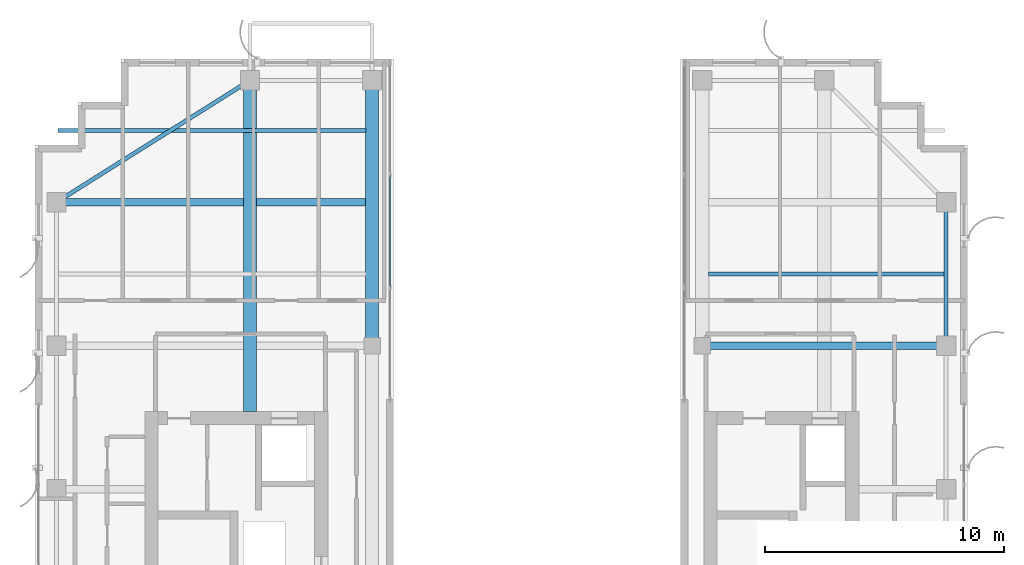
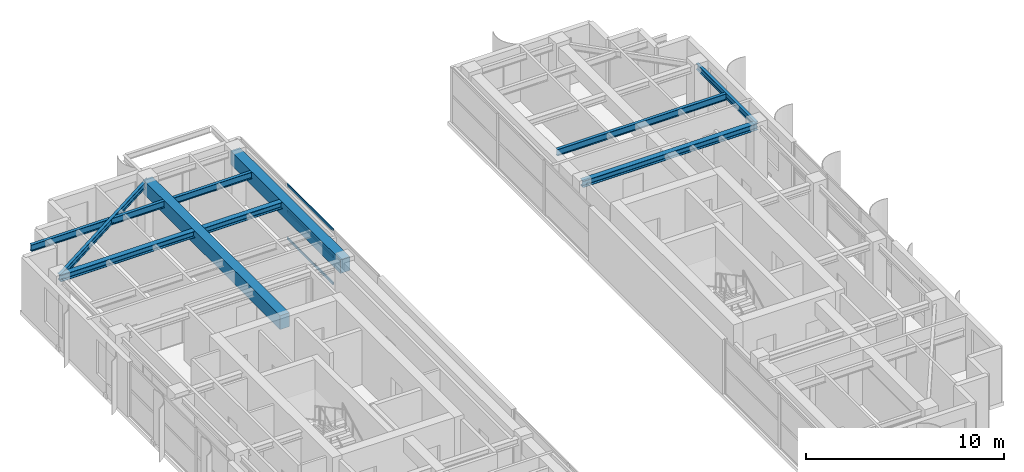
# One storey, part 13 of 22: 8 beams, 3 members, 1 element without a shape of its own.
"""IFC4 building model written with IfcOpenShell, lengths in metres."""

from ifc_helpers import new_model, si_unit, direction, frame, origin, origin_2d, place, context, subcontext, project, spatial, rectangle, hollow_rectangle, i_section, extrude, source, transform, mapped, material, layer, layer_set, material_profile, profile_set, type_object, element, aggregate, save


model = new_model("IFC4")

# Units and contexts
model_context = context("Model", 3, precision=1e-05, world=origin(), true_north=direction((0.0, 1.0)))
body_context = subcontext(model_context, "Body", "Model", "MODEL_VIEW")
ifc_project = project(units=[si_unit("LENGTHUNIT", "METRE"), si_unit("AREAUNIT", "SQUARE_METRE"), si_unit("VOLUMEUNIT", "CUBIC_METRE"), si_unit("PLANEANGLEUNIT", "RADIAN"), si_unit("MASSUNIT", "GRAM", prefix="KILO")], contexts=[model_context])

# Site, building, storey
site_placement = place(None, origin())
site = spatial("IfcSite", under=ifc_project, at=site_placement, CompositionType="ELEMENT")
building_placement = place(site_placement, origin())
building = spatial("IfcBuilding", under=site, at=building_placement, Name="Khoralis Quay Care Tower", CompositionType="ELEMENT")
storey_placement = place(building_placement, frame((0.0, 0.0, 256.5)))
storey = spatial("IfcBuildingStorey", under=building, at=storey_placement, Name="L67", CompositionType="ELEMENT", Elevation=256.5)

# Beams
ifc_material_1 = material(Name="Steel S355", Category="steel")
ifc_material_profile_1 = material_profile(ifc_material_1, i_section(OverallWidth=0.169921875, OverallDepth=0.360107421875, WebThickness=0.008056640625, FlangeThickness=0.0126953125, FilletRadius=0.01806640625, at=origin_2d()), Name="Steel S355")
ifc_profile_set_1 = profile_set([ifc_material_profile_1], Name="Steel S355")
beam_type_1 = type_object("IfcBeamType", Name="BM-IPE360", PredefinedType="SPANDREL", material=ifc_profile_set_1)
shared_shape_1 = source(origin(), body_context, "Body", "SweptSolid", [
    extrude(i_section(OverallWidth=0.169921875, OverallDepth=0.360107421875, WebThickness=0.008056640625, FlangeThickness=0.0126953125, FilletRadius=0.01806640625, at=origin_2d()), origin(), (0.0, 0.0, 1.0), 6.0),
])
beam_1_placement = place(storey_placement, frame((41.10009765625, 30.0, 3.179931640625), z_axis=(0.0, 1.0, 0.0), x_axis=(-1.0, 0.0, 0.0)))
element("IfcBeam", 1, at=beam_1_placement, inside=storey, type_object=beam_type_1, Name="BM-TSP-L67-12", PredefinedType="SPANDREL", context=body_context, shape_type="MappedRepresentation", body=[
    mapped(shared_shape_1, transform((0.0, 0.0, 0.0), scale=1.0)),
])
shared_shape_2 = source(origin(), body_context, "Body", "SweptSolid", [
    extrude(i_section(OverallWidth=0.169921875, OverallDepth=0.360107421875, WebThickness=0.008056640625, FlangeThickness=0.0126953125, FilletRadius=0.01806640625, at=origin_2d()), origin(), (0.0, 0.0, 1.0), 9.572021484375),
])
beam_2_placement = place(storey_placement, frame((12.0, 41.10009765625, 3.179931640625), z_axis=(-0.846231136359, -0.532815975602, 0.0), x_axis=(0.532815975602, -0.846231136359, 0.0)))
element("IfcBeam", 2, at=beam_2_placement, inside=storey, type_object=beam_type_1, Name="BM-TCR-L67-15", PredefinedType="SPANDREL", context=body_context, shape_type="MappedRepresentation", body=[
    mapped(shared_shape_2, transform((0.0, 0.0, 0.0), scale=1.0)),
])
ifc_material_profile_2 = material_profile(ifc_material_1, i_section(OverallWidth=0.300048828125, OverallDepth=0.39990234375, WebThickness=0.013427734375, FlangeThickness=0.02392578125, FilletRadius=0.027099609375, at=origin_2d()), Name="Steel S355")
ifc_profile_set_2 = profile_set([ifc_material_profile_2], Name="Steel S355")
beam_type_2 = type_object("IfcBeamType", Name="BM-HEB400", PredefinedType="BEAM", material=ifc_profile_set_2)
shared_shape_3 = source(origin(), body_context, "Body", "SweptSolid", [
    extrude(i_section(OverallWidth=0.300048828125, OverallDepth=0.39990234375, WebThickness=0.013427734375, FlangeThickness=0.02392578125, FilletRadius=0.027099609375, at=origin_2d()), origin(), (0.0, 0.0, 1.0), 12.93701171875),
])
beam_3_placement = place(storey_placement, frame((3.89990234375, 36.0, 3.159912109375), z_axis=(1.0, 0.0, 0.0), x_axis=(0.0, 1.0, 0.0)))
element("IfcBeam", 3, at=beam_3_placement, inside=storey, type_object=beam_type_2, Name="BM-TGXW-L67-360", PredefinedType="BEAM", context=body_context, shape_type="MappedRepresentation", body=[
    mapped(shared_shape_3, transform((0.0, 0.0, 0.0), scale=1.0)),
])
shared_shape_4 = source(origin(), body_context, "Body", "SweptSolid", [
    extrude(i_section(OverallWidth=0.300048828125, OverallDepth=0.39990234375, WebThickness=0.013427734375, FlangeThickness=0.02392578125, FilletRadius=0.027099609375, at=origin_2d()), origin(), (0.0, 0.0, 1.0), 10.2001953125),
])
beam_4_placement = place(storey_placement, frame((30.89990234375, 30.0, 3.159912109375), z_axis=(1.0, 0.0, 0.0), x_axis=(0.0, 1.0, 0.0)))
element("IfcBeam", 4, at=beam_4_placement, inside=storey, type_object=beam_type_2, Name="BM-TGXE-L67-300", PredefinedType="BEAM", context=body_context, shape_type="MappedRepresentation", body=[
    mapped(shared_shape_4, transform((0.0, 0.0, 0.0), scale=1.0)),
])
ifc_material_2 = material(Name="Concrete C50/60", Category="concrete")
ifc_material_profile_3 = material_profile(ifc_material_2, rectangle(XDim=0.550048828125, YDim=0.85009765625, at=origin_2d()), Name="Concrete C50/60")
ifc_profile_set_3 = profile_set([ifc_material_profile_3], Name="Concrete C50/60")
beam_type_3 = type_object("IfcBeamType", Name="BM-RC550X850", PredefinedType="BEAM", material=ifc_profile_set_3)
shared_shape_5 = source(origin(), body_context, "Body", "SweptSolid", [
    extrude(rectangle(XDim=0.550048828125, YDim=0.85009765625, at=origin_2d()), origin(), (0.0, 0.0, 1.0), 13.85205078125),
])
beam_5_placement = place(storey_placement, frame((12.0, 27.248046875, 2.93505859375), z_axis=(0.0, 1.0, 0.0), x_axis=(-1.0, 0.0, 0.0)))
element("IfcBeam", 5, at=beam_5_placement, inside=storey, type_object=beam_type_3, Name="BM-TGYN-L67-120", PredefinedType="BEAM", context=body_context, shape_type="MappedRepresentation", body=[
    mapped(shared_shape_5, transform((0.0, 0.0, 0.0), scale=1.0)),
])
shared_shape_6 = source(origin(), body_context, "Body", "SweptSolid", [
    extrude(rectangle(XDim=0.550048828125, YDim=0.85009765625, at=origin_2d()), origin(), (0.0, 0.0, 1.0), 11.10009765625),
])
beam_6_placement = place(storey_placement, frame((17.10009765625, 30.0, 2.93505859375), z_axis=(0.0, 1.0, 0.0), x_axis=(-1.0, 0.0, 0.0)))
element("IfcBeam", 6, at=beam_6_placement, inside=storey, type_object=beam_type_3, Name="BM-TGYN-L67-171", PredefinedType="BEAM", context=body_context, shape_type="MappedRepresentation", body=[
    mapped(shared_shape_6, transform((0.0, 0.0, 0.0), scale=1.0)),
])
ifc_material_profile_4 = material_profile(ifc_material_1, i_section(OverallWidth=0.177978515625, OverallDepth=0.406982421875, WebThickness=0.0078125, FlangeThickness=0.0126953125, FilletRadius=0.012939453125, at=origin_2d()), Name="Steel S355")
ifc_profile_set_4 = profile_set([ifc_material_profile_4], Name="Steel S355")
beam_type_4 = type_object("IfcBeamType", Name="BM-W410X60", PredefinedType="JOIST", material=ifc_profile_set_4)
shared_shape_7 = source(origin(), body_context, "Body", "SweptSolid", [
    extrude(i_section(OverallWidth=0.177978515625, OverallDepth=0.406982421875, WebThickness=0.0078125, FlangeThickness=0.0126953125, FilletRadius=0.012939453125, at=origin_2d()), origin(), (0.0, 0.0, 1.0), 12.865966796875),
])
beam_7_placement = place(storey_placement, frame((3.970947265625, 39.0, 3.156494140625), z_axis=(1.0, 0.0, 0.0), x_axis=(0.0, 1.0, 0.0)))
element("IfcBeam", 7, at=beam_7_placement, inside=storey, type_object=beam_type_4, Name="BM-TJS-L67-21", PredefinedType="JOIST", context=body_context, shape_type="MappedRepresentation", body=[
    mapped(shared_shape_7, transform((0.0, 0.0, 0.0), scale=1.0)),
])
shared_shape_8 = source(origin(), body_context, "Body", "SweptSolid", [
    extrude(i_section(OverallWidth=0.177978515625, OverallDepth=0.406982421875, WebThickness=0.0078125, FlangeThickness=0.0126953125, FilletRadius=0.012939453125, at=origin_2d()), origin(), (0.0, 0.0, 1.0), 9.865966796875),
])
beam_8_placement = place(storey_placement, frame((31.1630859375, 33.0, 3.156494140625), z_axis=(1.0, 0.0, 0.0), x_axis=(0.0, 1.0, 0.0)))
element("IfcBeam", 8, at=beam_8_placement, inside=storey, type_object=beam_type_4, Name="BM-TJS-L67-20", PredefinedType="JOIST", context=body_context, shape_type="MappedRepresentation", body=[
    mapped(shared_shape_8, transform((0.0, 0.0, 0.0), scale=1.0)),
])

# Curtain wall, members
ifc_material_3 = material(Name="Pale anodised aluminium", Category="aluminium")
ifc_layer = layer(ifc_material_3, 0.18994140625)
ifc_layer_set = layer_set([ifc_layer], Name="Pale anodised aluminium")
curtain_wall_type = type_object("IfcCurtainWallType", Name="CW-SYS-PORTAL", PredefinedType="NOTDEFINED", material=ifc_layer_set)
curtain_wall_placement = place(storey_placement, origin())
curtain_wall = element("IfcCurtainWall", 9, at=curtain_wall_placement, inside=storey, type_object=curtain_wall_type, Name="L67 Unitised Curtain Wall CW-VP-L67-P1-N", PredefinedType="NOTDEFINED")
ifc_material_profile_5 = material_profile(ifc_material_3, hollow_rectangle(XDim=0.06005859375, YDim=0.139892578125, WallThickness=0.00390625, at=origin_2d()), Name="Pale anodised aluminium")
ifc_profile_set_5 = profile_set([ifc_material_profile_5], Name="Pale anodised aluminium")
member_type = type_object("IfcMemberType", Name="CW-TRN-140", PredefinedType="USERDEFINED", material=ifc_profile_set_5)
shared_shape_9 = source(origin(), body_context, "Body", "SweptSolid", [
    extrude(hollow_rectangle(XDim=0.06005859375, YDim=0.139892578125, WallThickness=0.00390625, at=origin_2d()), origin(), (0.0, 0.0, 1.0), 4.64013671875),
])
member_1_placement = place(storey_placement, frame((17.85009765625, 32.47998046875, 0.030029296875), z_axis=(0.0, 1.0, 0.0), x_axis=(-1.0, 0.0, 0.0)))
member_1 = element("IfcMember", 10, at=member_1_placement, type_object=member_type, Name="CW4 transom 2.1", ObjectType="TRANSOM", PredefinedType="USERDEFINED", context=body_context, shape_type="MappedRepresentation", body=[
    mapped(shared_shape_9, transform((0.0, 0.0, 0.0), scale=1.0)),
])
member_2_placement = place(storey_placement, frame((17.85009765625, 32.47998046875, 1.679931640625), z_axis=(0.0, 1.0, 0.0), x_axis=(-1.0, 0.0, 0.0)))
member_2 = element("IfcMember", 11, at=member_2_placement, type_object=member_type, Name="CW4 transom 2.2", ObjectType="TRANSOM", PredefinedType="USERDEFINED", context=body_context, shape_type="MappedRepresentation", body=[
    mapped(shared_shape_9, transform((0.0, 0.0, 0.0), scale=1.0)),
])
member_3_placement = place(storey_placement, frame((17.85009765625, 32.47998046875, 3.330078125), z_axis=(0.0, 1.0, 0.0), x_axis=(-1.0, 0.0, 0.0)))
member_3 = element("IfcMember", 12, at=member_3_placement, type_object=member_type, Name="CW4 transom 2.3", ObjectType="TRANSOM", PredefinedType="USERDEFINED", context=body_context, shape_type="MappedRepresentation", body=[
    mapped(shared_shape_9, transform((0.0, 0.0, 0.0), scale=1.0)),
])
aggregate(curtain_wall, [member_1, member_2, member_3])

save(model, "model.ifc")
